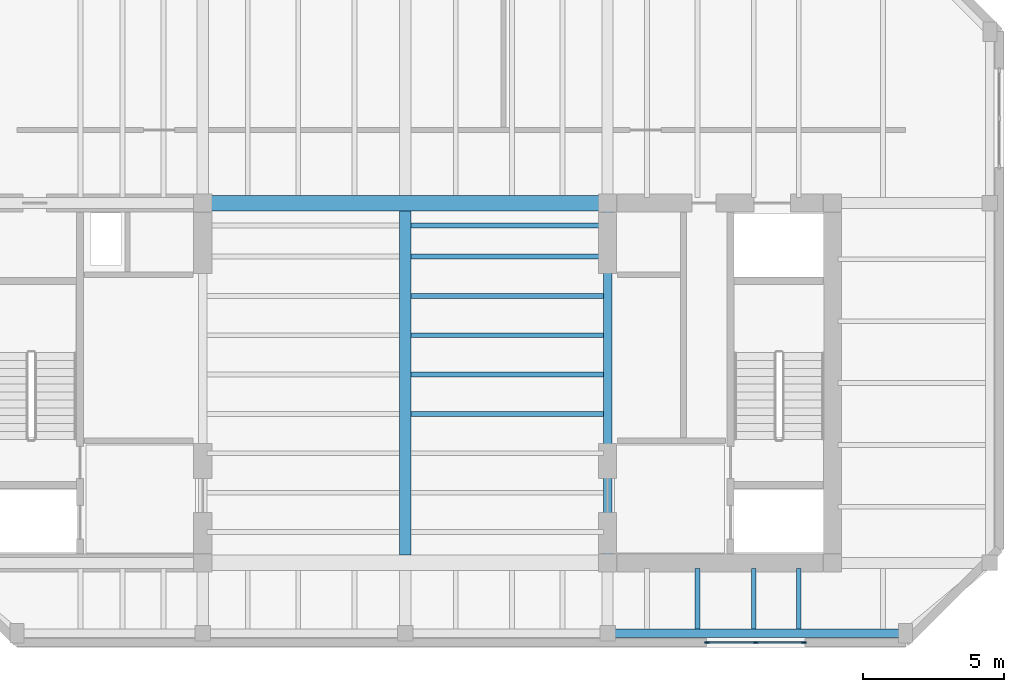
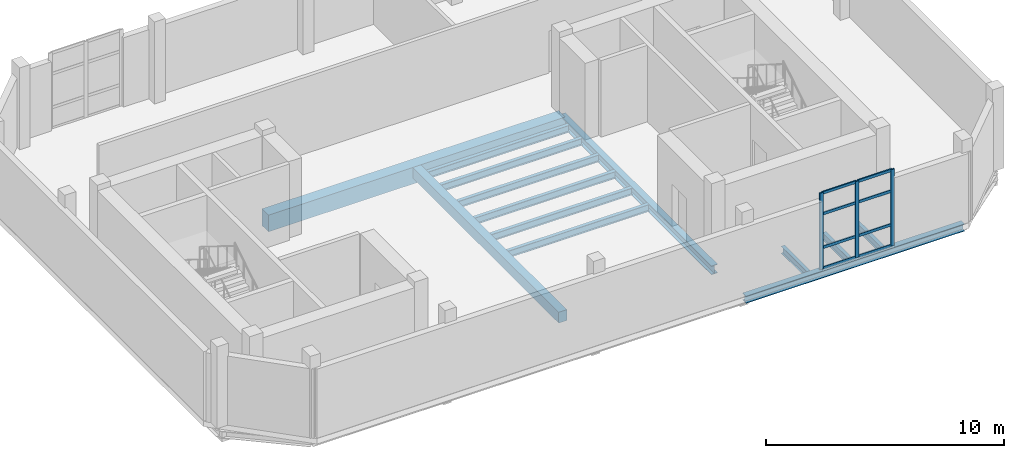
# One storey, part 2 of 7: 13 beams, 11 members, 1 element without a shape of its own.
"""IFC4 building model written with IfcOpenShell, lengths in metres."""

from ifc_helpers import new_model, si_unit, direction, frame, origin, origin_2d, place, context, subcontext, project, spatial, rectangle, i_section, extrude, material, layer, layer_set, material_profile, profile_set, type_object, element, aggregate, save


model = new_model("IFC4")

# Units and contexts
model_context = context("Model", 3, precision=1e-05, world=origin(), true_north=direction((0.0, 1.0)))
body_context = subcontext(model_context, "Body", "Model", "MODEL_VIEW")
ifc_project = project(units=[si_unit("LENGTHUNIT", "METRE"), si_unit("AREAUNIT", "SQUARE_METRE"), si_unit("VOLUMEUNIT", "CUBIC_METRE"), si_unit("PLANEANGLEUNIT", "RADIAN"), si_unit("MASSUNIT", "GRAM", prefix="KILO")], contexts=[model_context])

# Site, building, storey
site_placement = place(None, origin())
site = spatial("IfcSite", under=ifc_project, at=site_placement, CompositionType="ELEMENT")
building_placement = place(site_placement, origin())
building = spatial("IfcBuilding", under=site, at=building_placement, Name="Kranthara Brick Stack", CompositionType="ELEMENT")
storey_placement = place(building_placement, frame((0.0, 0.0, 304.800048828125)))
storey = spatial("IfcBuildingStorey", under=building, at=storey_placement, Name="L80", CompositionType="ELEMENT", Elevation=304.800048828125)

# Beams
ifc_material_1 = material(Name="Concrete C50/60", Category="concrete")
ifc_material_profile_1 = material_profile(ifc_material_1, rectangle(XDim=0.550048828125, YDim=0.85009765625, at=origin_2d()), Name="RC 550x850")
ifc_profile_set_1 = profile_set([ifc_material_profile_1], Name="Concrete C50/60")
beam_type_1 = type_object("IfcBeamType", Name="BM-CPL-RC850", PredefinedType="LINTEL", material=ifc_profile_set_1)
beam_1_placement = place(storey_placement, frame((20.800048828125, 33.60009765625, -0.705078125), z_axis=(1.0, 0.0, 0.0), x_axis=(0.0, 1.0, 0.0)))
element("IfcBeam", 1, at=beam_1_placement, inside=storey, type_object=beam_type_1, Name="L80 Core Coupling Beam 002", PredefinedType="LINTEL", context=body_context, shape_type="SweptSolid", body=[
    extrude(rectangle(XDim=0.550048828125, YDim=0.85009765625, at=origin_2d()), origin(), (0.0, 0.0, 1.0), 14.39990234375),
])
ifc_material_2 = material(Name="Post-tensioned concrete C45/55", Category="concrete")
ifc_material_profile_2 = material_profile(ifc_material_2, rectangle(XDim=0.39990234375, YDim=0.550048828125, at=origin_2d()), Name="PT 400x550")
ifc_profile_set_2 = profile_set([ifc_material_profile_2], Name="Post-tensioned concrete C45/55")
beam_type_2 = type_object("IfcBeamType", Name="BM-FLR-PT550", PredefinedType="BEAM", material=ifc_profile_set_2)
beam_2_placement = place(storey_placement, frame((28.0, 21.074951171875, -0.554931640625), z_axis=(0.0, 1.0, 0.0), x_axis=(-1.0, 0.0, 0.0)))
element("IfcBeam", 2, at=beam_2_placement, inside=storey, type_object=beam_type_2, Name="L80 Central Spine Girder 024", PredefinedType="BEAM", context=body_context, shape_type="SweptSolid", body=[
    extrude(rectangle(XDim=0.39990234375, YDim=0.550048828125, at=origin_2d()), origin(), (0.0, 0.0, 1.0), 12.25),
])
ifc_material_3 = material(Name="Steel S355", Category="steel")
ifc_material_profile_3 = material_profile(ifc_material_3, i_section(OverallWidth=0.169921875, OverallDepth=0.360107421875, WebThickness=0.008056640625, FlangeThickness=0.0126953125, at=origin_2d()), Name="IPE 360")
ifc_profile_set_3 = profile_set([ifc_material_profile_3], Name="Steel S355")
beam_type_3 = type_object("IfcBeamType", Name="BM-JST-IPE360", PredefinedType="JOIST", material=ifc_profile_set_3)
for number, where, z_axis, x_axis, name in (
    (3, (28.199951171875, 26.10009765625, -0.4599609375), (1.0, 0.0, 0.0), (0.0, 1.0, 0.0), "L80 Central Floor Joist 039"),
    (4, (28.199951171875, 27.5, -0.4599609375), (1.0, 0.0, 0.0), (0.0, 1.0, 0.0), "L80 Central Floor Joist 041"),
    (5, (28.199951171875, 28.89990234375, -0.4599609375), (1.0, 0.0, 0.0), (0.0, 1.0, 0.0), "L80 Central Floor Joist 043"),
    (6, (28.199951171875, 30.300048828125, -0.4599609375), (1.0, 0.0, 0.0), (0.0, 1.0, 0.0), "L80 Central Floor Joist 045"),
    (7, (28.199951171875, 31.699951171875, -0.4599609375), (1.0, 0.0, 0.0), (0.0, 1.0, 0.0), "L80 Central Floor Joist 047"),
    (8, (28.199951171875, 32.800048828125, -0.4599609375), (1.0, 0.0, 0.0), (0.0, 1.0, 0.0), "L80 Central Floor Joist 049"),
):
    element("IfcBeam", number, at=place(storey_placement, frame(where, z_axis=z_axis, x_axis=x_axis)), inside=storey, type_object=beam_type_3, Name=name, PredefinedType="JOIST", context=body_context, shape_type="SweptSolid", body=[
        extrude(i_section(OverallWidth=0.169921875, OverallDepth=0.360107421875, WebThickness=0.008056640625, FlangeThickness=0.0126953125, at=origin_2d()), origin(), (0.0, 0.0, 1.0), 6.85009765625),
    ])
for number, where, z_axis, x_axis, name in (
    (9, (38.39990234375, 18.449951171875, -0.4599609375), (0.0, 1.0, 0.0), (-1.0, 0.0, 0.0), "L80 South Wing Floor Joist 070"),
    (10, (40.39990234375, 18.449951171875, -0.4599609375), (0.0, 1.0, 0.0), (-1.0, 0.0, 0.0), "L80 South Wing Floor Joist 072"),
    (11, (42.0, 18.449951171875, -0.4599609375), (0.0, 1.0, 0.0), (-1.0, 0.0, 0.0), "L80 South Wing Floor Joist 074"),
):
    element("IfcBeam", number, at=place(storey_placement, frame(where, z_axis=z_axis, x_axis=x_axis)), inside=storey, type_object=beam_type_3, Name=name, PredefinedType="JOIST", context=body_context, shape_type="SweptSolid", body=[
        extrude(i_section(OverallWidth=0.169921875, OverallDepth=0.360107421875, WebThickness=0.008056640625, FlangeThickness=0.0126953125, at=origin_2d()), origin(), (0.0, 0.0, 1.0), 2.150146484375),
    ])
ifc_material_4 = material(Name="Steel S355", Category="steel")
ifc_material_profile_4 = material_profile(ifc_material_4, i_section(OverallWidth=0.300048828125, OverallDepth=0.360107421875, WebThickness=0.012451171875, FlangeThickness=0.0224609375, at=origin_2d()), Name="HEB 360")
ifc_profile_set_4 = profile_set([ifc_material_profile_4], Name="Steel S355")
beam_type_4 = type_object("IfcBeamType", Name="BM-STL-HEB360", PredefinedType="SPANDREL", material=ifc_profile_set_4)
beam_3_placement = place(storey_placement, frame((35.199951171875, 18.300048828125, -0.4599609375), z_axis=(1.0, 0.0, 0.0), x_axis=(0.0, 1.0, 0.0)))
element("IfcBeam", 12, at=beam_3_placement, inside=storey, type_object=beam_type_4, Name="L80 Perimeter Spandrel Beam 008", PredefinedType="SPANDREL", context=body_context, shape_type="SweptSolid", body=[
    extrude(i_section(OverallWidth=0.300048828125, OverallDepth=0.360107421875, WebThickness=0.012451171875, FlangeThickness=0.0224609375, at=origin_2d()), origin(), (0.0, 0.0, 1.0), 10.60009765625),
])
ifc_material_5 = material(Name="Steel S355", Category="steel")
ifc_material_profile_5 = material_profile(ifc_material_5, i_section(OverallWidth=0.300048828125, OverallDepth=0.449951171875, WebThickness=0.013916015625, FlangeThickness=0.02587890625, at=origin_2d()), Name="HEB 450")
ifc_profile_set_5 = profile_set([ifc_material_profile_5], Name="Steel S355")
beam_type_5 = type_object("IfcBeamType", Name="BM-STL-HEB450", PredefinedType="SPANDREL", material=ifc_profile_set_5)
beam_4_placement = place(storey_placement, frame((35.199951171875, 20.800048828125, -0.505126953125), z_axis=(0.0, 1.0, 0.0), x_axis=(-1.0, 0.0, 0.0)))
element("IfcBeam", 13, at=beam_4_placement, inside=storey, type_object=beam_type_5, Name="L80 Core Edge Tie Beam 004", PredefinedType="SPANDREL", context=body_context, shape_type="SweptSolid", body=[
    extrude(i_section(OverallWidth=0.300048828125, OverallDepth=0.449951171875, WebThickness=0.013916015625, FlangeThickness=0.02587890625, at=origin_2d()), origin(), (0.0, 0.0, 1.0), 12.800048828125),
])

# Curtain wall, members
ifc_material_6 = material(Name="Bronze anodised aluminium and low-E glass", Category="aluminium")
ifc_layer = layer(ifc_material_6, 0.25)
ifc_layer_set = layer_set([ifc_layer], Name="Bronze anodised aluminium and low-E glass")
curtain_wall_type = type_object("IfcCurtainWallType", Name="CW-SYS6-CROWN", PredefinedType="USERDEFINED", material=ifc_layer_set)
curtain_wall_placement = place(storey_placement, origin())
curtain_wall = element("IfcCurtainWall", 14, at=curtain_wall_placement, inside=storey, type_object=curtain_wall_type, Name="L80 Curtain Wall CW6-L80-01", ObjectType="UNITISED CURTAIN WALL", PredefinedType="USERDEFINED")
ifc_material_7 = material(Name="Bronze anodised aluminium 6063-T6", Category="aluminium")
ifc_material_profile_6 = material_profile(ifc_material_7, rectangle(XDim=0.06494140625, YDim=0.179931640625, at=origin_2d()), Name="ALU MULLION 65x180")
ifc_profile_set_6 = profile_set([ifc_material_profile_6], Name="Bronze anodised aluminium 6063-T6")
member_type_1 = type_object("IfcMemberType", Name="CWM-65x180", PredefinedType="MULLION", material=ifc_profile_set_6)
member_1_placement = place(storey_placement, frame((42.180419921875, 17.969970703125, 0.0), z_axis=(0.0, 0.0, 1.0), x_axis=(0.0, -1.0, 0.0)))
member_1 = element("IfcMember", 15, at=member_1_placement, type_object=member_type_1, Name="CW mullion 1", PredefinedType="MULLION", context=body_context, shape_type="SweptSolid", body=[
    extrude(rectangle(XDim=0.06494140625, YDim=0.179931640625, at=origin_2d()), origin(), (0.0, 0.0, 1.0), 3.919921875),
])
member_2_placement = place(storey_placement, frame((40.462890625, 17.969970703125, 0.0), z_axis=(0.0, 0.0, 1.0), x_axis=(0.0, -1.0, 0.0)))
member_2 = element("IfcMember", 16, at=member_2_placement, type_object=member_type_1, Name="CW mullion 2", PredefinedType="MULLION", context=body_context, shape_type="SweptSolid", body=[
    extrude(rectangle(XDim=0.06494140625, YDim=0.179931640625, at=origin_2d()), origin(), (0.0, 0.0, 1.0), 3.919921875),
])
member_3_placement = place(storey_placement, frame((38.74560546875, 17.969970703125, 0.0), z_axis=(0.0, 0.0, 1.0), x_axis=(0.0, -1.0, 0.0)))
member_3 = element("IfcMember", 17, at=member_3_placement, type_object=member_type_1, Name="CW mullion 3", PredefinedType="MULLION", context=body_context, shape_type="SweptSolid", body=[
    extrude(rectangle(XDim=0.06494140625, YDim=0.179931640625, at=origin_2d()), origin(), (0.0, 0.0, 1.0), 3.919921875),
])
ifc_material_8 = material(Name="Bronze anodised aluminium 6063-T6", Category="aluminium")
ifc_material_profile_7 = material_profile(ifc_material_8, rectangle(XDim=0.06494140625, YDim=0.139892578125, at=origin_2d()), Name="ALU TRANSOM 65x140")
ifc_profile_set_7 = profile_set([ifc_material_profile_7], Name="Bronze anodised aluminium 6063-T6")
member_type_2 = type_object("IfcMemberType", Name="CWT-65x140", PredefinedType="USERDEFINED", material=ifc_profile_set_7)
member_4_placement = place(storey_placement, frame((42.14794921875, 17.969970703125, 0.032470703125), z_axis=(-1.0, 0.0, 0.0), x_axis=(0.0, -1.0, 0.0)))
member_4 = element("IfcMember", 18, at=member_4_placement, type_object=member_type_2, Name="CW transom 1.1", ObjectType="TRANSOM", PredefinedType="USERDEFINED", context=body_context, shape_type="SweptSolid", body=[
    extrude(rectangle(XDim=0.06494140625, YDim=0.139892578125, at=origin_2d()), origin(), (0.0, 0.0, 1.0), 1.65234375),
])
member_5_placement = place(storey_placement, frame((42.14794921875, 17.969970703125, 1.09765625), z_axis=(-1.0, 0.0, 0.0), x_axis=(0.0, -1.0, 0.0)))
member_5 = element("IfcMember", 19, at=member_5_placement, type_object=member_type_2, Name="CW transom 1.2", ObjectType="TRANSOM", PredefinedType="USERDEFINED", context=body_context, shape_type="SweptSolid", body=[
    extrude(rectangle(XDim=0.06494140625, YDim=0.139892578125, at=origin_2d()), origin(), (0.0, 0.0, 1.0), 1.65234375),
])
member_6_placement = place(storey_placement, frame((42.14794921875, 17.969970703125, 2.822265625), z_axis=(-1.0, 0.0, 0.0), x_axis=(0.0, -1.0, 0.0)))
member_6 = element("IfcMember", 20, at=member_6_placement, type_object=member_type_2, Name="CW transom 1.3", ObjectType="TRANSOM", PredefinedType="USERDEFINED", context=body_context, shape_type="SweptSolid", body=[
    extrude(rectangle(XDim=0.06494140625, YDim=0.139892578125, at=origin_2d()), origin(), (0.0, 0.0, 1.0), 1.65234375),
])
member_7_placement = place(storey_placement, frame((42.14794921875, 17.969970703125, 3.887451171875), z_axis=(-1.0, 0.0, 0.0), x_axis=(0.0, -1.0, 0.0)))
member_7 = element("IfcMember", 21, at=member_7_placement, type_object=member_type_2, Name="CW transom 1.4", ObjectType="TRANSOM", PredefinedType="USERDEFINED", context=body_context, shape_type="SweptSolid", body=[
    extrude(rectangle(XDim=0.06494140625, YDim=0.139892578125, at=origin_2d()), origin(), (0.0, 0.0, 1.0), 1.65234375),
])
member_8_placement = place(storey_placement, frame((40.430419921875, 17.969970703125, 0.032470703125), z_axis=(-1.0, 0.0, 0.0), x_axis=(0.0, -1.0, 0.0)))
member_8 = element("IfcMember", 22, at=member_8_placement, type_object=member_type_2, Name="CW transom 2.1", ObjectType="TRANSOM", PredefinedType="USERDEFINED", context=body_context, shape_type="SweptSolid", body=[
    extrude(rectangle(XDim=0.06494140625, YDim=0.139892578125, at=origin_2d()), origin(), (0.0, 0.0, 1.0), 1.65234375),
])
member_9_placement = place(storey_placement, frame((40.430419921875, 17.969970703125, 1.09765625), z_axis=(-1.0, 0.0, 0.0), x_axis=(0.0, -1.0, 0.0)))
member_9 = element("IfcMember", 23, at=member_9_placement, type_object=member_type_2, Name="CW transom 2.2", ObjectType="TRANSOM", PredefinedType="USERDEFINED", context=body_context, shape_type="SweptSolid", body=[
    extrude(rectangle(XDim=0.06494140625, YDim=0.139892578125, at=origin_2d()), origin(), (0.0, 0.0, 1.0), 1.65234375),
])
member_10_placement = place(storey_placement, frame((40.430419921875, 17.969970703125, 2.822265625), z_axis=(-1.0, 0.0, 0.0), x_axis=(0.0, -1.0, 0.0)))
member_10 = element("IfcMember", 24, at=member_10_placement, type_object=member_type_2, Name="CW transom 2.3", ObjectType="TRANSOM", PredefinedType="USERDEFINED", context=body_context, shape_type="SweptSolid", body=[
    extrude(rectangle(XDim=0.06494140625, YDim=0.139892578125, at=origin_2d()), origin(), (0.0, 0.0, 1.0), 1.65234375),
])
member_11_placement = place(storey_placement, frame((40.430419921875, 17.969970703125, 3.887451171875), z_axis=(-1.0, 0.0, 0.0), x_axis=(0.0, -1.0, 0.0)))
member_11 = element("IfcMember", 25, at=member_11_placement, type_object=member_type_2, Name="CW transom 2.4", ObjectType="TRANSOM", PredefinedType="USERDEFINED", context=body_context, shape_type="SweptSolid", body=[
    extrude(rectangle(XDim=0.06494140625, YDim=0.139892578125, at=origin_2d()), origin(), (0.0, 0.0, 1.0), 1.65234375),
])
aggregate(curtain_wall, [member_1, member_2, member_3, member_4, member_5, member_6, member_7, member_8, member_9, member_10, member_11])

save(model, "model.ifc")
